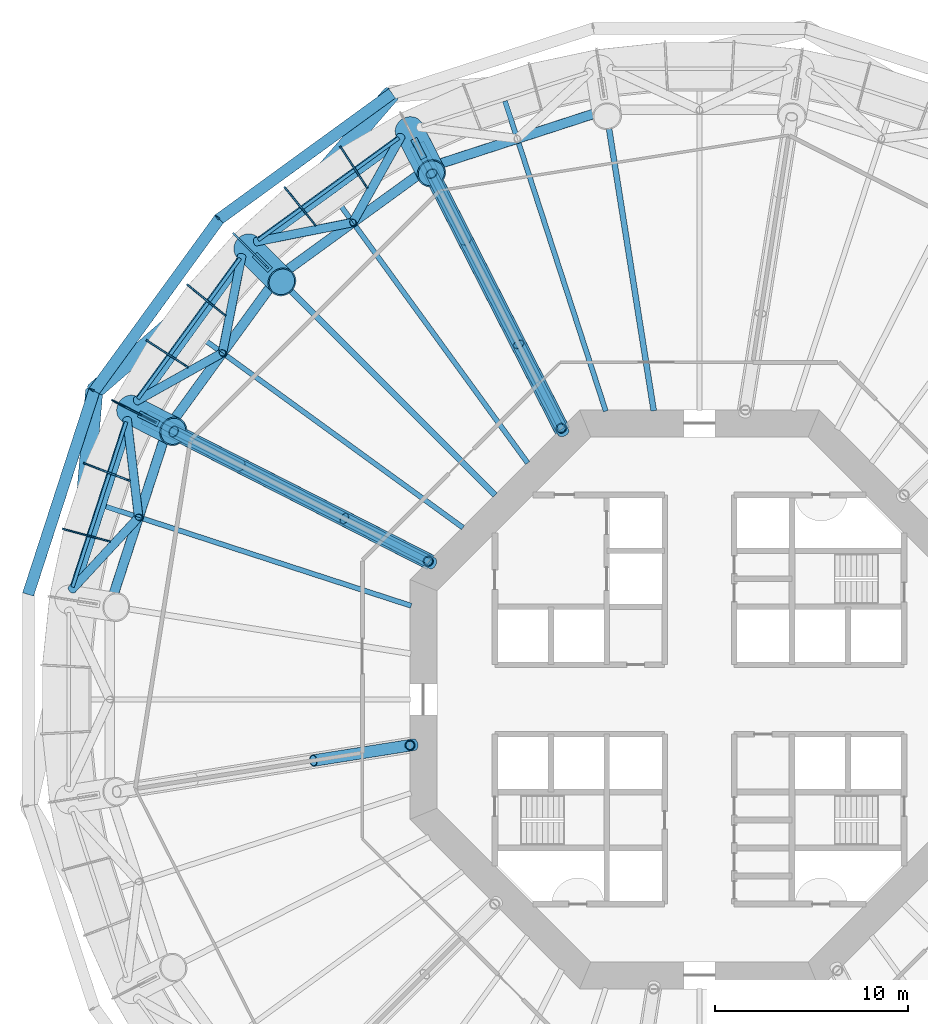
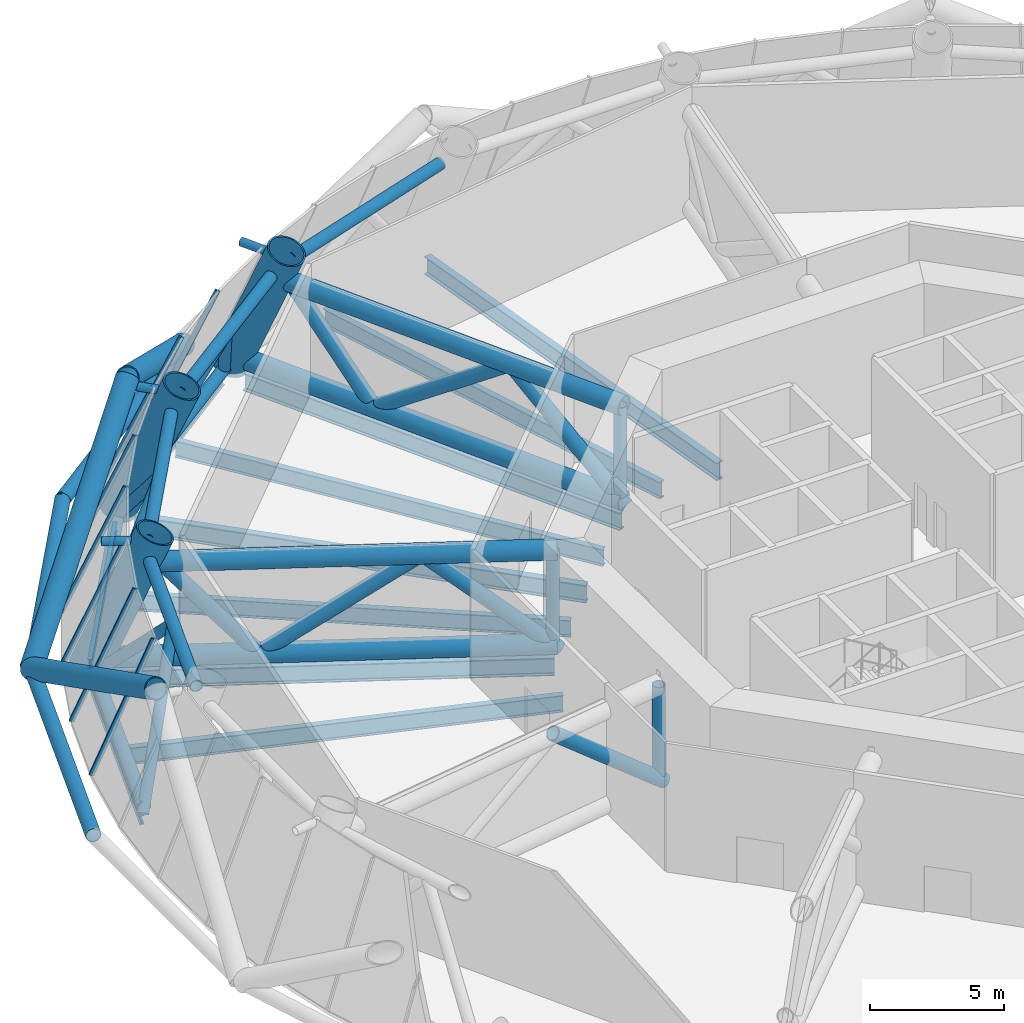
# One storey, part 4 of 14: 47 members, 11 beams, 3 elements without a shape of their own.
"""IFC4 building model written with IfcOpenShell, lengths in metres."""

from ifc_helpers import new_model, si_unit, direction, frame, origin, origin_2d, place, context, subcontext, project, spatial, rectangle, circle, hollow_circle, i_section, extrude, material, layer, layer_set, material_profile, profile_set, type_object, element, aggregate, save


model = new_model("IFC4")

# Units and contexts
model_context = context("Model", 3, precision=1e-05, world=origin(), true_north=direction((0.0, 1.0)))
body_context = subcontext(model_context, "Body", "Model", "MODEL_VIEW")
ifc_project = project(units=[si_unit("LENGTHUNIT", "METRE"), si_unit("AREAUNIT", "SQUARE_METRE"), si_unit("VOLUMEUNIT", "CUBIC_METRE"), si_unit("PLANEANGLEUNIT", "RADIAN"), si_unit("MASSUNIT", "GRAM", prefix="KILO")], contexts=[model_context])

# Site, building, storey
site_placement = place(None, origin())
site = spatial("IfcSite", under=ifc_project, at=site_placement, CompositionType="ELEMENT")
building_placement = place(site_placement, origin())
building = spatial("IfcBuilding", under=site, at=building_placement, Name="Entoto Ring Tower", CompositionType="ELEMENT")
storey_placement = place(building_placement, frame((0.0, 0.0, 74.0)))
storey = spatial("IfcBuildingStorey", under=building, at=storey_placement, Name="L16", CompositionType="ELEMENT", Elevation=74.0)

# Members
ifc_material_1 = material(Name="Steel S355", Category="steel")
ifc_material_profile_1 = material_profile(ifc_material_1, hollow_circle(Radius=0.449951171875, WallThickness=0.044921875, at=origin_2d()), Name="CHS 900 x 45")
ifc_material_2 = material(Name="Concrete C60/75", Category="concrete")
ifc_material_profile_2 = material_profile(ifc_material_2, circle(Radius=0.405029296875, at=origin_2d()), Name="Concrete C60/75 infill")
ifc_profile_set_1 = profile_set([ifc_material_profile_1, ifc_material_profile_2], Name="Steel S355")
member_type_1 = type_object("IfcMemberType", Name="Diagrid diagonal 900 x 45 concrete-filled tube", PredefinedType="BRACE", material=ifc_profile_set_1)
for number, where, z_axis, x_axis, name in (
    (1, (74.01953125, 111.363525390625, 0.0), (-0.573788432045, -0.662113366564, 0.482050542027), (0.755713458536, -0.654902411499, 0.0), "DG2 module 5 08"),
    (2, (58.636474609375, 95.98046875, 0.0), (0.662113366564, 0.573788432045, 0.482050542027), (-0.654902411499, 0.755713458536, 0.0), "DG2 module 5 09"),
    (3, (58.636474609375, 95.98046875, 0.0), (-0.075027012712, -0.872922129867, 0.482055912267), (0.996326701463, -0.08563354455, 0.0), "DG2 module 5 10"),
):
    element("IfcMember", number, at=place(storey_placement, frame(where, z_axis=z_axis, x_axis=x_axis)), inside=storey, type_object=member_type_1, Name=name, PredefinedType="BRACE", context=body_context, shape_type="SweptSolid", body=[
        extrude(hollow_circle(Radius=0.449951171875, WallThickness=0.044921875, at=origin_2d()), origin(), (0.0, 0.0, 1.0), 12.44677734375),
    ])
ifc_material_3 = material(Name="Steel S355", Category="steel")
ifc_material_profile_3 = material_profile(ifc_material_3, hollow_circle(Radius=0.177734375, WallThickness=0.01611328125, at=origin_2d()), Name="CHS 355.6 x 16")
ifc_material_4 = material(Name="Concrete C60/75", Category="concrete")
ifc_material_profile_4 = material_profile(ifc_material_4, circle(Radius=0.161865234375, at=origin_2d()), Name="Concrete C60/75 infill")
ifc_profile_set_2 = profile_set([ifc_material_profile_3, ifc_material_profile_4], Name="Steel S355")
member_type_2 = type_object("IfcMemberType", Name="Diagrid node strut 355.6 x 16", PredefinedType="STRUT", material=ifc_profile_set_2)
for number, where, z_axis, x_axis, name in (
    (4, (75.71435546875, 108.036865234375, 5.672119140625), (-0.453835432876, 0.891085517707, 0.0), (-0.891085517707, -0.453835432876, 0.0), "DS1 strut ring 5 06"),
    (5, (67.749755859375, 102.250244140625, 5.672119140625), (-0.707106781187, 0.707106781187, 0.0), (-0.707106781187, -0.707106781187, 0.0), "DS1 strut ring 5 07"),
    (6, (61.963134765625, 94.28564453125, 5.672119140625), (-0.891085517707, 0.453835432876, 0.0), (-0.453835432876, -0.891085517707, 0.0), "DS1 strut ring 5 08"),
):
    element("IfcMember", number, at=place(storey_placement, frame(where, z_axis=z_axis, x_axis=x_axis)), inside=storey, type_object=member_type_2, Name=name, PredefinedType="STRUT", context=body_context, shape_type="SweptSolid", body=[
        extrude(hollow_circle(Radius=0.177734375, WallThickness=0.01611328125, at=origin_2d()), origin(), (0.0, 0.0, 1.0), 1.133544921875),
    ])
ifc_material_5 = material(Name="Steel S355", Category="steel")
ifc_material_profile_5 = material_profile(ifc_material_5, hollow_circle(Radius=0.300048828125, WallThickness=0.030029296875, at=origin_2d()), Name="CHS 600 x 30")
ifc_material_6 = material(Name="Concrete C60/75", Category="concrete")
ifc_material_profile_6 = material_profile(ifc_material_6, circle(Radius=0.27001953125, at=origin_2d()), Name="Concrete C60/75 infill")
ifc_profile_set_3 = profile_set([ifc_material_profile_5, ifc_material_profile_6], Name="Steel S355")
member_type_3 = type_object("IfcMemberType", Name="Diagrid ring beam 600 x 30", PredefinedType="CHORD", material=ifc_profile_set_3)
for number, where, z_axis, x_axis, name in (
    (7, (74.07421875, 111.403076171875, 0.0), (-0.809026721692, -0.587771863556, 0.0), (0.587771863556, -0.809026721692, 0.0), "DR1 ring 4 07"),
    (8, (65.1494140625, 104.94482421875, 0.0), (-0.587771863556, -0.809026721692, 0.0), (0.809026721692, -0.587771863556, 0.0), "DR1 ring 4 08"),
    (9, (58.657470703125, 96.044677734375, 0.0), (-0.309031105137, -0.951051931315, 0.0), (0.951051931315, -0.309031105137, 0.0), "DR1 ring 4 09"),
):
    element("IfcMember", number, at=place(storey_placement, frame(where, z_axis=z_axis, x_axis=x_axis)), inside=storey, type_object=member_type_3, Name=name, PredefinedType="CHORD", context=body_context, shape_type="SweptSolid", body=[
        extrude(hollow_circle(Radius=0.300048828125, WallThickness=0.030029296875, at=origin_2d()), origin(), (0.0, 0.0, 1.0), 11.14794921875),
    ])

# Beams
ifc_material_7 = material(Name="Steel S355", Category="steel")
ifc_material_profile_7 = material_profile(ifc_material_7, i_section(OverallWidth=0.179931640625, OverallDepth=0.39990234375, WebThickness=0.008544921875, FlangeThickness=0.013427734375, FilletRadius=0.02099609375, at=origin_2d()), Name="IPE 400")
ifc_profile_set_4 = profile_set([ifc_material_profile_7], Name="Steel S355")
beam_type_1 = type_object("IfcBeamType", Name="Edge beam IPE 400", PredefinedType="SPANDREL", material=ifc_profile_set_4)
for number, where, z_axis, x_axis, name in (
    (10, (74.427490234375, 109.09619140625, -0.35009765625), (-0.80901142547, -0.587792917156, 0.0), (0.587792917156, -0.80901142547, 0.0), "Edge beam L16 07"),
    (11, (66.198486328125, 102.85986328125, -0.35009765625), (-0.587792917156, -0.80901142547, 0.0), (0.80901142547, -0.587792917156, 0.0), "Edge beam L16 08"),
    (12, (60.29931640625, 94.385986328125, -0.35009765625), (-0.309006400295, -0.951059958455, 0.0), (0.951059958455, -0.309006400295, 0.0), "Edge beam L16 09"),
):
    element("IfcBeam", number, at=place(storey_placement, frame(where, z_axis=z_axis, x_axis=x_axis)), inside=storey, type_object=beam_type_1, Name=name, PredefinedType="SPANDREL", context=body_context, shape_type="SweptSolid", body=[
        extrude(i_section(OverallWidth=0.179931640625, OverallDepth=0.39990234375, WebThickness=0.008544921875, FlangeThickness=0.013427734375, FilletRadius=0.02099609375, at=origin_2d()), origin(), (0.0, 0.0, 1.0), 9.0078125),
    ])

# Curtain wall, members
ifc_material_8 = material(Name="Anodised aluminium", Category="aluminium")
ifc_layer = layer(ifc_material_8, 0.10009765625)
ifc_layer_set = layer_set([ifc_layer], Name="Anodised aluminium")
curtain_wall_type = type_object("IfcCurtainWallType", Name="Louvre curtain wall system CW7", PredefinedType="NOTDEFINED", material=ifc_layer_set)
curtain_wall_1_placement = place(storey_placement, origin())
curtain_wall_1 = element("IfcCurtainWall", 13, at=curtain_wall_1_placement, inside=storey, type_object=curtain_wall_type, Name="CW7 L16-07", PredefinedType="NOTDEFINED")
ifc_material_9 = material(Name="Anodised aluminium", Category="aluminium")
ifc_material_profile_8 = material_profile(ifc_material_9, rectangle(XDim=0.080078125, YDim=0.199951171875, at=origin_2d()), Name="Mullion 80 x 200 mm anodised aluminium")
ifc_profile_set_5 = profile_set([ifc_material_profile_8], Name="Anodised aluminium")
member_type_4 = type_object("IfcMemberType", Name="Mullion 80 x 200 mm anodised aluminium", PredefinedType="MULLION", material=ifc_profile_set_5)
member_1_placement = place(storey_placement, frame((71.431884765625, 108.59228515625, 0.03857421875), z_axis=(0.20951178694, -0.322563051143, 0.923069818145), x_axis=(0.838626753611, 0.544706497232, 0.0)))
member_1 = element("IfcMember", 14, at=member_1_placement, type_object=member_type_4, Name="MULLION L16-19", PredefinedType="MULLION", context=body_context, shape_type="SweptSolid", body=[
    extrude(rectangle(XDim=0.080078125, YDim=0.199951171875, at=origin_2d()), origin(), (0.0, 0.0, 1.0), 6.254150390625),
])
member_2_placement = place(storey_placement, frame((68.544921875, 106.49462890625, 0.03857421875), z_axis=(0.24206864184, -0.298906561936, 0.923069683106), x_axis=(0.777121953601, 0.629350037127, 0.0)))
member_2 = element("IfcMember", 15, at=member_2_placement, type_object=member_type_4, Name="MULLION L16-20", PredefinedType="MULLION", context=body_context, shape_type="SweptSolid", body=[
    extrude(rectangle(XDim=0.080078125, YDim=0.199951171875, at=origin_2d()), origin(), (0.0, 0.0, 1.0), 6.254150390625),
])
aggregate(curtain_wall_1, [member_1, member_2])

curtain_wall_2_placement = place(storey_placement, origin())
curtain_wall_2 = element("IfcCurtainWall", 16, at=curtain_wall_2_placement, inside=storey, type_object=curtain_wall_type, Name="CW7 L16-08", PredefinedType="NOTDEFINED")
member_3_placement = place(storey_placement, frame((65.89306640625, 104.10693359375, 0.03857421875), z_axis=(0.271971811529, -0.271971811529, 0.923072406405), x_axis=(0.707106781187, 0.707106781187, 0.0)))
member_3 = element("IfcMember", 17, at=member_3_placement, type_object=member_type_4, Name="MULLION L16-21", PredefinedType="MULLION", context=body_context, shape_type="SweptSolid", body=[
    extrude(rectangle(XDim=0.080078125, YDim=0.199951171875, at=origin_2d()), origin(), (0.0, 0.0, 1.0), 6.254150390625),
])
member_4_placement = place(storey_placement, frame((63.50537109375, 101.455078125, 0.03857421875), z_axis=(0.298906561936, -0.24206864184, 0.923069683106), x_axis=(0.629350037127, 0.777121953601, 0.0)))
member_4 = element("IfcMember", 18, at=member_4_placement, type_object=member_type_4, Name="MULLION L16-22", PredefinedType="MULLION", context=body_context, shape_type="SweptSolid", body=[
    extrude(rectangle(XDim=0.080078125, YDim=0.199951171875, at=origin_2d()), origin(), (0.0, 0.0, 1.0), 6.254150390625),
])
member_5_placement = place(storey_placement, frame((61.40771484375, 98.568115234375, 0.03857421875), z_axis=(0.322563051143, -0.20951178694, 0.923069818145), x_axis=(0.544706497232, 0.838626753611, 0.0)))
member_5 = element("IfcMember", 19, at=member_5_placement, type_object=member_type_4, Name="MULLION L16-23", PredefinedType="MULLION", context=body_context, shape_type="SweptSolid", body=[
    extrude(rectangle(XDim=0.080078125, YDim=0.199951171875, at=origin_2d()), origin(), (0.0, 0.0, 1.0), 6.254150390625),
])
aggregate(curtain_wall_2, [member_3, member_4, member_5])

curtain_wall_3_placement = place(storey_placement, origin())
curtain_wall_3 = element("IfcCurtainWall", 20, at=curtain_wall_3_placement, inside=storey, type_object=curtain_wall_type, Name="CW7 L16-09", PredefinedType="NOTDEFINED")
member_6_placement = place(storey_placement, frame((59.62353515625, 95.4775390625, 0.03857421875), z_axis=(0.342707021712, -0.174613111757, 0.923072130698), x_axis=(0.453980514773, 0.891011611713, 0.0)))
member_6 = element("IfcMember", 21, at=member_6_placement, type_object=member_type_4, Name="MULLION L16-24", PredefinedType="MULLION", context=body_context, shape_type="SweptSolid", body=[
    extrude(rectangle(XDim=0.080078125, YDim=0.199951171875, at=origin_2d()), origin(), (0.0, 0.0, 1.0), 6.254150390625),
])
member_7_placement = place(storey_placement, frame((58.172119140625, 92.217529296875, 0.03857421875), z_axis=(0.359065607861, -0.137840906866, 0.92307733893), x_axis=(0.358387287841, 0.933573002991, 0.0)))
member_7 = element("IfcMember", 22, at=member_7_placement, type_object=member_type_4, Name="MULLION L16-25", PredefinedType="MULLION", context=body_context, shape_type="SweptSolid", body=[
    extrude(rectangle(XDim=0.080078125, YDim=0.199951171875, at=origin_2d()), origin(), (0.0, 0.0, 1.0), 6.25390625),
])
member_8_placement = place(storey_placement, frame((57.0693359375, 88.82373046875, 0.03857421875), z_axis=(0.371517215719, -0.099544909119, 0.923074086676), x_axis=(0.258812183003, 0.965927664957, 0.0)))
member_8 = element("IfcMember", 23, at=member_8_placement, type_object=member_type_4, Name="MULLION L16-26", PredefinedType="MULLION", context=body_context, shape_type="SweptSolid", body=[
    extrude(rectangle(XDim=0.080078125, YDim=0.199951171875, at=origin_2d()), origin(), (0.0, 0.0, 1.0), 6.254150390625),
])
aggregate(curtain_wall_3, [member_6, member_7, member_8])

# Members
ifc_material_10 = material(Name="Steel S355", Category="steel")
ifc_material_profile_9 = material_profile(ifc_material_10, hollow_circle(Radius=0.406494140625, WallThickness=0.044921875, at=origin_2d()), Name="CHS 813 x 45")
ifc_material_11 = material(Name="Concrete C60/75", Category="concrete")
ifc_material_profile_10 = material_profile(ifc_material_11, circle(Radius=0.361572265625, at=origin_2d()), Name="Concrete C60/75 infill")
ifc_profile_set_6 = profile_set([ifc_material_profile_9, ifc_material_profile_10], Name="Steel S355")
member_type_5 = type_object("IfcMemberType", Name="Outrigger chord 813 x 45", PredefinedType="CHORD", material=ifc_profile_set_6)
member_9_placement = place(storey_placement, frame((82.90869140625, 93.91748046875, 0.406494140625), z_axis=(-0.453993442205, 0.891005024921, 0.0), x_axis=(-0.891005024921, -0.453993442205, 0.0)))
element("IfcMember", 24, at=member_9_placement, inside=storey, type_object=member_type_5, Name="OR1A L16 bottom 04", PredefinedType="CHORD", context=body_context, shape_type="SweptSolid", body=[
    extrude(hollow_circle(Radius=0.406494140625, WallThickness=0.044921875, at=origin_2d()), origin(), (0.0, 0.0, 1.0), 16.64794921875),
])
member_10_placement = place(storey_placement, frame((82.90869140625, 93.91748046875, 4.6904296875), z_axis=(-0.453988035615, 0.891007779718, 0.0), x_axis=(-0.891007779718, -0.453988035615, 0.0)))
element("IfcMember", 25, at=member_10_placement, inside=storey, type_object=member_type_5, Name="OR1A L16 top 04", PredefinedType="CHORD", context=body_context, shape_type="SweptSolid", body=[
    extrude(hollow_circle(Radius=0.406494140625, WallThickness=0.044921875, at=origin_2d()), origin(), (0.0, 0.0, 1.0), 14.86279296875),
])
member_11_placement = place(storey_placement, frame((76.08251953125, 87.09130859375, 0.406494140625), z_axis=(-0.891005024921, 0.453993442205, 0.0), x_axis=(-0.453993442205, -0.891005024921, 0.0)))
element("IfcMember", 26, at=member_11_placement, inside=storey, type_object=member_type_5, Name="OR1A L16 bottom 05", PredefinedType="CHORD", context=body_context, shape_type="SweptSolid", body=[
    extrude(hollow_circle(Radius=0.406494140625, WallThickness=0.044921875, at=origin_2d()), origin(), (0.0, 0.0, 1.0), 16.64794921875),
])
member_12_placement = place(storey_placement, frame((76.08251953125, 87.09130859375, 4.6904296875), z_axis=(-0.891007779718, 0.453988035615, 0.0), x_axis=(-0.453988035615, -0.891007779718, 0.0)))
element("IfcMember", 27, at=member_12_placement, inside=storey, type_object=member_type_5, Name="OR1A L16 top 05", PredefinedType="CHORD", context=body_context, shape_type="SweptSolid", body=[
    extrude(hollow_circle(Radius=0.406494140625, WallThickness=0.044921875, at=origin_2d()), origin(), (0.0, 0.0, 1.0), 14.86279296875),
])
ifc_material_12 = material(Name="Steel S355", Category="steel")
ifc_material_profile_11 = material_profile(ifc_material_12, hollow_circle(Radius=0.304931640625, WallThickness=0.035888671875, at=origin_2d()), Name="CHS 610 x 36")
ifc_material_13 = material(Name="Concrete C60/75", Category="concrete")
ifc_material_profile_12 = material_profile(ifc_material_13, circle(Radius=0.26904296875, at=origin_2d()), Name="Concrete C60/75 infill")
ifc_profile_set_7 = profile_set([ifc_material_profile_11, ifc_material_profile_12], Name="Steel S355")
member_type_6 = type_object("IfcMemberType", Name="Outrigger diagonal 610 x 36", PredefinedType="BRACE", material=ifc_profile_set_7)
member_13_placement = place(storey_placement, frame((82.9482421875, 93.840087890625, 0.196533203125), z_axis=(-0.341021799872, 0.669276351795, 0.660131272505), x_axis=(-0.891001965104, -0.453999447335, 0.0)))
element("IfcMember", 28, at=member_13_placement, inside=storey, type_object=member_type_6, Name="OR2A L16 04 1", PredefinedType="BRACE", context=body_context, shape_type="SweptSolid", body=[
    extrude(hollow_circle(Radius=0.304931640625, WallThickness=0.035888671875, at=origin_2d()), origin(), (0.0, 0.0, 1.0), 6.8076171875),
])
member_14_placement = place(storey_placement, frame((80.626708984375, 98.396240234375, 4.6904296875), z_axis=(-0.370797977683, 0.727753093913, -0.576961258704), x_axis=(-0.891011845429, -0.453980056066, 0.0)))
element("IfcMember", 29, at=member_14_placement, inside=storey, type_object=member_type_6, Name="OR2A L16 04 2", PredefinedType="BRACE", context=body_context, shape_type="SweptSolid", body=[
    extrude(hollow_circle(Radius=0.304931640625, WallThickness=0.035888671875, at=origin_2d()), origin(), (0.0, 0.0, 1.0), 7.425048828125),
])
member_15_placement = place(storey_placement, frame((77.87353515625, 103.7998046875, 0.406494140625), z_axis=(-0.296051080814, 0.580984805325, 0.758162524483), x_axis=(-0.890991302342, -0.454020373057, 0.0)))
element("IfcMember", 30, at=member_15_placement, inside=storey, type_object=member_type_6, Name="OR2A L16 04 3", PredefinedType="BRACE", context=body_context, shape_type="SweptSolid", body=[
    extrude(hollow_circle(Radius=0.304931640625, WallThickness=0.035888671875, at=origin_2d()), origin(), (0.0, 0.0, 1.0), 5.92919921875),
])
member_16_placement = place(storey_placement, frame((76.159912109375, 87.0517578125, 0.196533203125), z_axis=(-0.669276351795, 0.341021799872, 0.660131272505), x_axis=(-0.453999447335, -0.891001965104, 0.0)))
element("IfcMember", 31, at=member_16_placement, inside=storey, type_object=member_type_6, Name="OR2A L16 05 1", PredefinedType="BRACE", context=body_context, shape_type="SweptSolid", body=[
    extrude(hollow_circle(Radius=0.304931640625, WallThickness=0.035888671875, at=origin_2d()), origin(), (0.0, 0.0, 1.0), 6.8076171875),
])
member_17_placement = place(storey_placement, frame((71.603759765625, 89.373291015625, 4.6904296875), z_axis=(-0.727753093913, 0.370797977683, -0.576961258704), x_axis=(-0.453980056066, -0.891011845429, 0.0)))
element("IfcMember", 32, at=member_17_placement, inside=storey, type_object=member_type_6, Name="OR2A L16 05 2", PredefinedType="BRACE", context=body_context, shape_type="SweptSolid", body=[
    extrude(hollow_circle(Radius=0.304931640625, WallThickness=0.035888671875, at=origin_2d()), origin(), (0.0, 0.0, 1.0), 7.425048828125),
])
member_18_placement = place(storey_placement, frame((66.2001953125, 92.12646484375, 0.406494140625), z_axis=(-0.580984805325, 0.296051080814, 0.758162524483), x_axis=(-0.454020373057, -0.890991302342, 0.0)))
element("IfcMember", 33, at=member_18_placement, inside=storey, type_object=member_type_6, Name="OR2A L16 05 3", PredefinedType="BRACE", context=body_context, shape_type="SweptSolid", body=[
    extrude(hollow_circle(Radius=0.304931640625, WallThickness=0.035888671875, at=origin_2d()), origin(), (0.0, 0.0, 1.0), 5.92919921875),
])
member_19_placement = place(storey_placement, frame((75.21533203125, 77.658447265625, 0.222412109375), z_axis=(-0.754411774533, -0.119487031561, 0.645434523198), x_axis=(0.156434394639, -0.987688351746, 0.0)))
element("IfcMember", 34, at=member_19_placement, inside=storey, type_object=member_type_6, Name="OR2A L16 06 1", PredefinedType="BRACE", context=body_context, shape_type="SweptSolid", body=[
    extrude(hollow_circle(Radius=0.304931640625, WallThickness=0.035888671875, at=origin_2d()), origin(), (0.0, 0.0, 1.0), 6.922607421875),
])
ifc_material_14 = material(Name="Steel S355", Category="steel")
ifc_material_profile_13 = material_profile(ifc_material_14, hollow_circle(Radius=0.25390625, WallThickness=0.030029296875, at=origin_2d()), Name="CHS 508 x 30")
ifc_material_15 = material(Name="Concrete C60/75", Category="concrete")
ifc_material_profile_14 = material_profile(ifc_material_15, circle(Radius=0.22412109375, at=origin_2d()), Name="Concrete C60/75 infill")
ifc_profile_set_8 = profile_set([ifc_material_profile_13, ifc_material_profile_14], Name="Steel S355")
member_type_7 = type_object("IfcMemberType", Name="Outrigger post 508 x 30", PredefinedType="POST", material=ifc_profile_set_8)
for number, where, z_axis, x_axis, name in (
    (35, (82.839599609375, 94.052978515625, 0.406494140625), (0.0, 0.0, 1.0), (1.0, 0.0, 0.0), "OR3 L16 04"),
    (36, (75.947021484375, 87.160400390625, 0.406494140625), (0.0, 0.0, 1.0), (1.0, 0.0, 0.0), "OR3 L16 05"),
    (37, (75.0, 77.624267578125, 0.406494140625), (0.0, 0.0, 1.0), (1.0, 0.0, 0.0), "OR3 L16 06"),
):
    element("IfcMember", number, at=place(storey_placement, frame(where, z_axis=z_axis, x_axis=x_axis)), inside=storey, type_object=member_type_7, Name=name, PredefinedType="POST", context=body_context, shape_type="SweptSolid", body=[
        extrude(hollow_circle(Radius=0.25390625, WallThickness=0.030029296875, at=origin_2d()), origin(), (0.0, 0.0, 1.0), 4.283935546875),
    ])

# Beams
ifc_material_16 = material(Name="Steel S355", Category="steel")
ifc_material_profile_15 = material_profile(ifc_material_16, i_section(OverallWidth=0.300048828125, OverallDepth=0.800048828125, WebThickness=0.017578125, FlangeThickness=0.032958984375, FilletRadius=0.030029296875, at=origin_2d()), Name="HE 800 B")
ifc_profile_set_9 = profile_set([ifc_material_profile_15], Name="Steel S355")
beam_type_2 = type_object("IfcBeamType", Name="Primary floor beam HE 800 B", PredefinedType="BEAM", material=ifc_profile_set_9)
beam_1_placement = place(storey_placement, frame((87.631103515625, 94.956787109375, -0.550048828125), z_axis=(-0.156438130794, 0.98768775999, 0.0), x_axis=(-0.98768775999, -0.156438130794, 0.0)))
element("IfcBeam", 38, at=beam_1_placement, inside=storey, type_object=beam_type_2, Name="Primary L16 R06", PredefinedType="BEAM", context=body_context, shape_type="SweptSolid", body=[
    extrude(i_section(OverallWidth=0.300048828125, OverallDepth=0.800048828125, WebThickness=0.017578125, FlangeThickness=0.032958984375, FilletRadius=0.030029296875, at=origin_2d()), origin(), (0.0, 0.0, 1.0), 17.293212890625),
])
beam_2_placement = place(storey_placement, frame((82.870849609375, 93.99169921875, -0.550048828125), z_axis=(-0.453988071063, 0.891007761657, 0.0), x_axis=(-0.891007761657, -0.453988071063, 0.0)))
element("IfcBeam", 39, at=beam_2_placement, inside=storey, type_object=beam_type_2, Name="Primary L16 R07", PredefinedType="BEAM", context=body_context, shape_type="SweptSolid", body=[
    extrude(i_section(OverallWidth=0.300048828125, OverallDepth=0.800048828125, WebThickness=0.017578125, FlangeThickness=0.032958984375, FilletRadius=0.030029296875, at=origin_2d()), origin(), (0.0, 0.0, 1.0), 16.733154296875),
])
beam_3_placement = place(storey_placement, frame((79.407470703125, 90.592529296875, -0.550048828125), z_axis=(-0.707106781187, 0.707106781187, 0.0), x_axis=(-0.707106781187, -0.707106781187, 0.0)))
element("IfcBeam", 40, at=beam_3_placement, inside=storey, type_object=beam_type_2, Name="Primary L16 R08", PredefinedType="BEAM", context=body_context, shape_type="SweptSolid", body=[
    extrude(i_section(OverallWidth=0.300048828125, OverallDepth=0.800048828125, WebThickness=0.017578125, FlangeThickness=0.032958984375, FilletRadius=0.030029296875, at=origin_2d()), origin(), (0.0, 0.0, 1.0), 17.456298828125),
])
beam_4_placement = place(storey_placement, frame((76.00830078125, 87.129150390625, -0.550048828125), z_axis=(-0.891007761657, 0.453988071063, 0.0), x_axis=(-0.453988071063, -0.891007761657, 0.0)))
element("IfcBeam", 41, at=beam_4_placement, inside=storey, type_object=beam_type_2, Name="Primary L16 R09", PredefinedType="BEAM", context=body_context, shape_type="SweptSolid", body=[
    extrude(i_section(OverallWidth=0.300048828125, OverallDepth=0.800048828125, WebThickness=0.017578125, FlangeThickness=0.032958984375, FilletRadius=0.030029296875, at=origin_2d()), origin(), (0.0, 0.0, 1.0), 16.733154296875),
])

# Members
ifc_material_17 = material(Name="Steel S355", Category="steel")
ifc_material_profile_16 = material_profile(ifc_material_17, hollow_circle(Radius=0.75, WallThickness=0.06494140625, at=origin_2d()), Name="CHS 1500 x 65")
ifc_material_18 = material(Name="Concrete C60/75", Category="concrete")
ifc_material_profile_17 = material_profile(ifc_material_18, circle(Radius=0.68505859375, at=origin_2d()), Name="Concrete C60/75 infill")
ifc_profile_set_10 = profile_set([ifc_material_profile_16, ifc_material_profile_17], Name="Steel S355")
member_type_8 = type_object("IfcMemberType", Name="Ring column jog 1500 x 65 concrete-filled tube", PredefinedType="STRUT", material=ifc_profile_set_10)
for number, where, z_axis, x_axis, name in (
    (42, (74.972900390625, 109.492431640625, 0.0), (0.174616520339, -0.342697597672, 0.923074984698), (0.891002976909, 0.453997461601, 0.0), "RJ1B R07"),
    (43, (66.5947265625, 103.4052734375, 0.0), (0.271971397377, -0.271971397377, 0.923072650455), (0.707106781187, 0.707106781187, 0.0), "RJ1B R08"),
    (44, (60.507568359375, 95.027099609375, 0.0), (0.342697597672, -0.174616520339, 0.923074984698), (0.453997461601, 0.891002976909, 0.0), "RJ1B R09"),
):
    element("IfcMember", number, at=place(storey_placement, frame(where, z_axis=z_axis, x_axis=x_axis)), inside=storey, type_object=member_type_8, Name=name, PredefinedType="STRUT", context=body_context, shape_type="SweptSolid", body=[
        extrude(hollow_circle(Radius=0.75, WallThickness=0.06494140625, at=origin_2d()), origin(), (0.0, 0.0, 1.0), 6.5),
    ])
ifc_material_19 = material(Name="Steel S355", Category="steel")
ifc_material_profile_18 = material_profile(ifc_material_19, hollow_circle(Radius=0.25390625, WallThickness=0.030029296875, at=origin_2d()), Name="CHS 508 x 30")
ifc_material_20 = material(Name="Concrete C60/75", Category="concrete")
ifc_material_profile_19 = material_profile(ifc_material_20, circle(Radius=0.22412109375, at=origin_2d()), Name="Concrete C60/75 infill")
ifc_profile_set_11 = profile_set([ifc_material_profile_18, ifc_material_profile_19], Name="Steel S355")
member_type_9 = type_object("IfcMemberType", Name="Ring truss chord 508 x 30", PredefinedType="CHORD", material=ifc_profile_set_11)
member_20_placement = place(storey_placement, frame((84.506591796875, 110.341552734375, 5.196044921875), z_axis=(-0.951061075236, -0.309002963044, 0.0), x_axis=(0.309002963044, -0.951061075236, 0.0)))
element("IfcMember", 45, at=member_20_placement, inside=storey, type_object=member_type_9, Name="BT1 L16 top 06", PredefinedType="CHORD", context=body_context, shape_type="SweptSolid", body=[
    extrude(hollow_circle(Radius=0.25390625, WallThickness=0.030029296875, at=origin_2d()), origin(), (0.0, 0.0, 1.0), 8.302978515625),
])
member_21_placement = place(storey_placement, frame((74.464599609375, 108.993896484375, 0.25390625), z_axis=(-0.809016812145, -0.58778550311, 0.0), x_axis=(0.58778550311, -0.809016812145, 0.0)))
element("IfcMember", 46, at=member_21_placement, inside=storey, type_object=member_type_9, Name="BT1 L16 bottom 07", PredefinedType="CHORD", context=body_context, shape_type="SweptSolid", body=[
    extrude(hollow_circle(Radius=0.25390625, WallThickness=0.030029296875, at=origin_2d()), origin(), (0.0, 0.0, 1.0), 8.947509765625),
])
member_22_placement = place(storey_placement, frame((75.3994140625, 107.1591796875, 5.196044921875), z_axis=(-0.809014444899, -0.587788761329, 0.0), x_axis=(0.587788761329, -0.809014444899, 0.0)))
element("IfcMember", 47, at=member_22_placement, inside=storey, type_object=member_type_9, Name="BT1 L16 top 07", PredefinedType="CHORD", context=body_context, shape_type="SweptSolid", body=[
    extrude(hollow_circle(Radius=0.25390625, WallThickness=0.030029296875, at=origin_2d()), origin(), (0.0, 0.0, 1.0), 8.303466796875),
])
member_23_placement = place(storey_placement, frame((66.265380859375, 102.774169921875, 0.25390625), z_axis=(-0.58778550311, -0.809016812145, 0.0), x_axis=(0.809016812145, -0.58778550311, 0.0)))
element("IfcMember", 48, at=member_23_placement, inside=storey, type_object=member_type_9, Name="BT1 L16 bottom 08", PredefinedType="CHORD", context=body_context, shape_type="SweptSolid", body=[
    extrude(hollow_circle(Radius=0.25390625, WallThickness=0.030029296875, at=origin_2d()), origin(), (0.0, 0.0, 1.0), 8.947509765625),
])
member_24_placement = place(storey_placement, frame((67.721435546875, 101.318115234375, 5.196044921875), z_axis=(-0.587788761329, -0.809014444899, 0.0), x_axis=(0.809014444899, -0.587788761329, 0.0)))
element("IfcMember", 49, at=member_24_placement, inside=storey, type_object=member_type_9, Name="BT1 L16 top 08", PredefinedType="CHORD", context=body_context, shape_type="SweptSolid", body=[
    extrude(hollow_circle(Radius=0.25390625, WallThickness=0.030029296875, at=origin_2d()), origin(), (0.0, 0.0, 1.0), 8.303466796875),
])
member_25_placement = place(storey_placement, frame((60.389404296875, 94.324951171875, 0.25390625), z_axis=(-0.309015118354, -0.951057125849, 0.0), x_axis=(0.951057125849, -0.309015118354, 0.0)))
element("IfcMember", 50, at=member_25_placement, inside=storey, type_object=member_type_9, Name="BT1 L16 bottom 09", PredefinedType="CHORD", context=body_context, shape_type="SweptSolid", body=[
    extrude(hollow_circle(Radius=0.25390625, WallThickness=0.030029296875, at=origin_2d()), origin(), (0.0, 0.0, 1.0), 8.947509765625),
])
member_26_placement = place(storey_placement, frame((62.22412109375, 93.39013671875, 5.196044921875), z_axis=(-0.309002963044, -0.951061075236, 0.0), x_axis=(0.951061075236, -0.309002963044, 0.0)))
element("IfcMember", 51, at=member_26_placement, inside=storey, type_object=member_type_9, Name="BT1 L16 top 09", PredefinedType="CHORD", context=body_context, shape_type="SweptSolid", body=[
    extrude(hollow_circle(Radius=0.25390625, WallThickness=0.030029296875, at=origin_2d()), origin(), (0.0, 0.0, 1.0), 8.302978515625),
])
ifc_material_21 = material(Name="Steel S355", Category="steel")
ifc_material_profile_20 = material_profile(ifc_material_21, hollow_circle(Radius=0.228515625, WallThickness=0.02001953125, at=origin_2d()), Name="CHS 457 x 20")
ifc_material_22 = material(Name="Concrete C60/75", Category="concrete")
ifc_material_profile_21 = material_profile(ifc_material_22, circle(Radius=0.20849609375, at=origin_2d()), Name="Concrete C60/75 infill")
ifc_profile_set_12 = profile_set([ifc_material_profile_20, ifc_material_profile_21], Name="Steel S355")
member_type_10 = type_object("IfcMemberType", Name="Ring truss diagonal 457 x 20", PredefinedType="BRACE", material=ifc_profile_set_12)
for number, where, z_axis, x_axis, name in (
    (52, (74.526611328125, 109.15771484375, 0.020263671875), (-0.342516183091, -0.611631235609, 0.713154889171), (0.872504379351, -0.488606291418, 0.0), "BT2 L16 07 a"),
    (53, (72.040771484375, 104.71875, 5.196044921875), (-0.687530308268, -0.13674580209, -0.713163838696), (0.19507319751, -0.980788686524, 0.0), "BT2 L16 07 b"),
    (54, (66.273681640625, 102.948974609375, 0.020263671875), (-0.13674580209, -0.687530308268, 0.713163838696), (0.980788686524, -0.19507319751, 0.0), "BT2 L16 08 a"),
    (55, (65.28125, 97.959228515625, 5.196044921875), (-0.611631235609, -0.342516183091, -0.713154889171), (0.488606291418, -0.872504379351, 0.0), "BT2 L16 08 b"),
    (56, (60.34326171875, 94.493896484375, 0.020263671875), (0.082417142906, -0.69613892053, 0.713160583514), (0.993064514799, 0.117570699781, 0.0), "BT2 L16 09 a"),
    (57, (60.94140625, 89.441650390625, 5.196044921875), (-0.475870319778, -0.514724428313, -0.713166321171), (0.734277032935, -0.678849938429, 0.0), "BT2 L16 09 b"),
):
    element("IfcMember", number, at=place(storey_placement, frame(where, z_axis=z_axis, x_axis=x_axis)), inside=storey, type_object=member_type_10, Name=name, PredefinedType="BRACE", context=body_context, shape_type="SweptSolid", body=[
        extrude(hollow_circle(Radius=0.228515625, WallThickness=0.02001953125, at=origin_2d()), origin(), (0.0, 0.0, 1.0), 7.257568359375),
    ])

# Beams
ifc_material_23 = material(Name="Steel S355", Category="steel")
ifc_material_profile_22 = material_profile(ifc_material_23, i_section(OverallWidth=0.262939453125, OverallDepth=0.7529296875, WebThickness=0.011474609375, FlangeThickness=0.01708984375, FilletRadius=0.01708984375, at=origin_2d()), Name="IPE 750 x 137")
ifc_profile_set_13 = profile_set([ifc_material_profile_22], Name="Steel S355")
beam_type_3 = type_object("IfcBeamType", Name="Secondary floor beam IPE 750 x 137", PredefinedType="JOIST", material=ifc_profile_set_13)
beam_5_placement = place(storey_placement, frame((85.1455078125, 94.9404296875, -0.526611328125), z_axis=(-0.30901287187, 0.951057855768, 0.0), x_axis=(-0.951057855768, -0.30901287187, 0.0)))
element("IfcBeam", 58, at=beam_5_placement, inside=storey, type_object=beam_type_3, Name="Secondary beam L16 06", PredefinedType="JOIST", context=body_context, shape_type="SweptSolid", body=[
    extrude(i_section(OverallWidth=0.262939453125, OverallDepth=0.7529296875, WebThickness=0.011474609375, FlangeThickness=0.01708984375, FilletRadius=0.01708984375, at=origin_2d()), origin(), (0.0, 0.0, 1.0), 16.893310546875),
])
for number, where, z_axis, x_axis, name in (
    (59, (81.097412109375, 92.25341796875, -0.526611328125), (-0.58778910532, 0.809014194973, 0.0), (-0.809014194973, -0.58778910532, 0.0), "Secondary beam L16 07"),
    (60, (77.74658203125, 88.902587890625, -0.526611328125), (-0.809014194973, 0.58778910532, 0.0), (-0.58778910532, -0.809014194973, 0.0), "Secondary beam L16 08"),
):
    element("IfcBeam", number, at=place(storey_placement, frame(where, z_axis=z_axis, x_axis=x_axis)), inside=storey, type_object=beam_type_3, Name=name, PredefinedType="JOIST", context=body_context, shape_type="SweptSolid", body=[
        extrude(i_section(OverallWidth=0.262939453125, OverallDepth=0.7529296875, WebThickness=0.011474609375, FlangeThickness=0.01708984375, FilletRadius=0.01708984375, at=origin_2d()), origin(), (0.0, 0.0, 1.0), 17.45654296875),
    ])
beam_6_placement = place(storey_placement, frame((75.0595703125, 84.8544921875, -0.526611328125), z_axis=(-0.951057855768, 0.30901287187, 0.0), x_axis=(-0.30901287187, -0.951057855768, 0.0)))
element("IfcBeam", 61, at=beam_6_placement, inside=storey, type_object=beam_type_3, Name="Secondary beam L16 09", PredefinedType="JOIST", context=body_context, shape_type="SweptSolid", body=[
    extrude(i_section(OverallWidth=0.262939453125, OverallDepth=0.7529296875, WebThickness=0.011474609375, FlangeThickness=0.01708984375, FilletRadius=0.01708984375, at=origin_2d()), origin(), (0.0, 0.0, 1.0), 16.893310546875),
])

save(model, "model.ifc")
